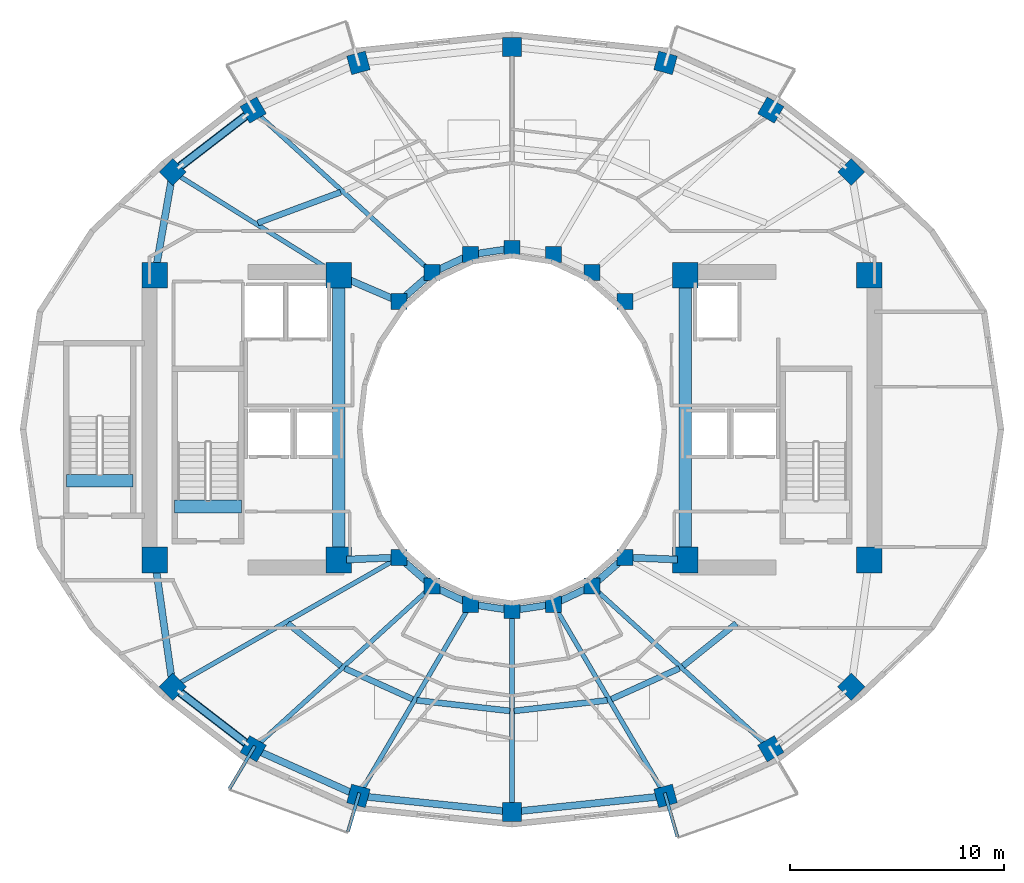
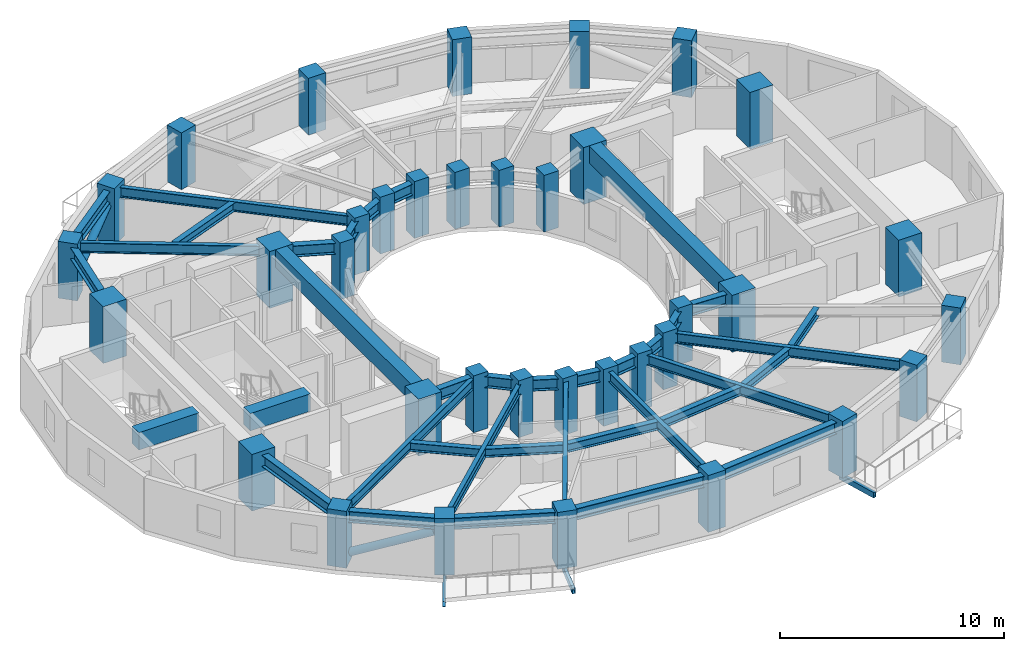
# One storey, part 1 of 10: 41 beams, 36 columns, 2 members.
"""IFC4 building model written with IfcOpenShell, lengths in metres."""

from ifc_helpers import new_model, si_unit, direction, frame, origin, origin_2d, place, context, subcontext, project, spatial, rectangle, hollow_rectangle, hollow_circle, i_section, extrude, material, material_profile, profile_set, type_object, element, save


model = new_model("IFC4")

# Units and contexts
model_context = context("Model", 3, precision=1e-05, world=origin(), true_north=direction((0.0, 1.0)))
body_context = subcontext(model_context, "Body", "Model", "MODEL_VIEW")
ifc_project = project(units=[si_unit("LENGTHUNIT", "METRE"), si_unit("AREAUNIT", "SQUARE_METRE"), si_unit("VOLUMEUNIT", "CUBIC_METRE"), si_unit("PLANEANGLEUNIT", "RADIAN"), si_unit("MASSUNIT", "GRAM", prefix="KILO")], contexts=[model_context])

# Site, building, storey
site_placement = place(None, origin())
site = spatial("IfcSite", under=ifc_project, at=site_placement, CompositionType="ELEMENT")
building_placement = place(site_placement, origin())
building = spatial("IfcBuilding", under=site, at=building_placement, Name="Solvane Sanctuary Tower", CompositionType="ELEMENT")
storey_placement = place(building_placement, frame((0.0, 0.0, 146.699951171875)))
storey = spatial("IfcBuildingStorey", under=building, at=storey_placement, Name="L44", CompositionType="ELEMENT", Elevation=146.699951171875)

# Columns
ifc_material_1 = material(Name="Concrete C50/60", Category="concrete")
ifc_material_profile_1 = material_profile(ifc_material_1, rectangle(XDim=0.75, YDim=0.75, at=origin_2d()), Name="RC750X750")
ifc_profile_set_1 = profile_set([ifc_material_profile_1], Name="Concrete C50/60")
column_type_1 = type_object("IfcColumnType", Name="Column C-RING-Z3 RC750X750", PredefinedType="COLUMN", material=ifc_profile_set_1)
for number, where, z_axis, x_axis, name in (
    (1, (37.27490234375, 28.982177734375, 0.0), (0.0, 0.0, 1.0), (1.0, 0.0, 0.0), "L44 Inner Light-Well Ring Column IC01"),
    (2, (35.72998046875, 30.32666015625, 0.0), (0.0, 0.0, 1.0), (1.0, 0.0, 0.0), "L44 Inner Light-Well Ring Column IC02"),
    (3, (33.930908203125, 31.171630859375, 0.0), (0.0, 0.0, 1.0), (1.0, 0.0, 0.0), "L44 Inner Light-Well Ring Column IC03"),
    (4, (32.0, 31.4599609375, 0.0), (0.0, 0.0, 1.0), (1.0, 0.0, 0.0), "L44 Inner Light-Well Ring Column IC04"),
    (5, (30.069091796875, 31.171630859375, 0.0), (0.0, 0.0, 1.0), (1.0, 0.0, 0.0), "L44 Inner Light-Well Ring Column IC05"),
    (6, (28.27001953125, 30.32666015625, 0.0), (0.0, 0.0, 1.0), (1.0, 0.0, 0.0), "L44 Inner Light-Well Ring Column IC06"),
    (7, (26.72509765625, 28.982177734375, 0.0), (0.0, 0.0, 1.0), (1.0, 0.0, 0.0), "L44 Inner Light-Well Ring Column IC07"),
    (8, (26.72509765625, 17.017822265625, 0.0), (0.0, 0.0, 1.0), (1.0, 0.0, 0.0), "L44 Inner Light-Well Ring Column IC08"),
    (9, (28.27001953125, 15.67333984375, 0.0), (0.0, 0.0, 1.0), (1.0, 0.0, 0.0), "L44 Inner Light-Well Ring Column IC09"),
    (10, (30.069091796875, 14.828369140625, 0.0), (0.0, 0.0, 1.0), (1.0, 0.0, 0.0), "L44 Inner Light-Well Ring Column IC10"),
    (11, (32.0, 14.5400390625, 0.0), (0.0, 0.0, 1.0), (1.0, 0.0, 0.0), "L44 Inner Light-Well Ring Column IC11"),
    (12, (33.930908203125, 14.828369140625, 0.0), (0.0, 0.0, 1.0), (1.0, 0.0, 0.0), "L44 Inner Light-Well Ring Column IC12"),
    (13, (35.72998046875, 15.67333984375, 0.0), (0.0, 0.0, 1.0), (1.0, 0.0, 0.0), "L44 Inner Light-Well Ring Column IC13"),
    (14, (37.27490234375, 17.017822265625, 0.0), (0.0, 0.0, 1.0), (1.0, 0.0, 0.0), "L44 Inner Light-Well Ring Column IC14"),
):
    element("IfcColumn", number, at=place(storey_placement, frame(where, z_axis=z_axis, x_axis=x_axis)), inside=storey, type_object=column_type_1, Name=name, PredefinedType="COLUMN", context=body_context, shape_type="SweptSolid", body=[
        extrude(rectangle(XDim=0.75, YDim=0.75, at=origin_2d()), origin(), (0.0, 0.0, 1.0), 3.10009765625),
    ])
ifc_material_2 = material(Name="Concrete C70/85", Category="concrete")
ifc_material_profile_2 = material_profile(ifc_material_2, rectangle(XDim=1.199951171875, YDim=1.199951171875, at=origin_2d()), Name="RC1200X1200")
ifc_profile_set_2 = profile_set([ifc_material_profile_2], Name="Concrete C70/85")
column_type_2 = type_object("IfcColumnType", Name="Column C-TUBE-Z1 RC1200X1200", PredefinedType="COLUMN", material=ifc_profile_set_2)
for number, where, z_axis, x_axis, name in (
    (15, (15.300048828125, 16.89990234375, 0.0), (0.0, 0.0, 1.0), (1.0, 0.0, 0.0), "L44 Core Corner Column CW1"),
    (16, (23.89990234375, 16.89990234375, 0.0), (0.0, 0.0, 1.0), (1.0, 0.0, 0.0), "L44 Core Corner Column CW2"),
    (17, (23.89990234375, 30.199951171875, 0.0), (0.0, 0.0, 1.0), (1.0, 0.0, 0.0), "L44 Core Corner Column CW3"),
    (18, (15.300048828125, 30.199951171875, 0.0), (0.0, 0.0, 1.0), (1.0, 0.0, 0.0), "L44 Core Corner Column CW4"),
    (19, (40.10009765625, 16.89990234375, 0.0), (0.0, 0.0, 1.0), (1.0, 0.0, 0.0), "L44 Core Corner Column CE1"),
    (20, (48.699951171875, 16.89990234375, 0.0), (0.0, 0.0, 1.0), (1.0, 0.0, 0.0), "L44 Core Corner Column CE2"),
    (21, (48.699951171875, 30.199951171875, 0.0), (0.0, 0.0, 1.0), (1.0, 0.0, 0.0), "L44 Core Corner Column CE3"),
    (22, (40.10009765625, 30.199951171875, 0.0), (0.0, 0.0, 1.0), (1.0, 0.0, 0.0), "L44 Core Corner Column CE4"),
):
    element("IfcColumn", number, at=place(storey_placement, frame(where, z_axis=z_axis, x_axis=x_axis)), inside=storey, type_object=column_type_2, Name=name, PredefinedType="COLUMN", context=body_context, shape_type="SweptSolid", body=[
        extrude(rectangle(XDim=1.199951171875, YDim=1.199951171875, at=origin_2d()), origin(), (0.0, 0.0, 1.0), 3.10009765625),
    ])
ifc_material_3 = material(Name="Concrete C60/75", Category="concrete")
ifc_material_profile_3 = material_profile(ifc_material_3, rectangle(XDim=0.89990234375, YDim=0.89990234375, at=origin_2d()), Name="RC900X900")
ifc_profile_set_3 = profile_set([ifc_material_profile_3], Name="Concrete C60/75")
column_type_3 = type_object("IfcColumnType", Name="Column C-TUBE-Z3 RC900X900", PredefinedType="COLUMN", material=ifc_profile_set_3)
for number, where, z_axis, x_axis, name in (
    (23, (47.856689453125, 35.031005859375, 0.0), (0.0, 0.0, 1.0), (0.707106781187, 0.707106781187, 0.0), "L44 Perimeter Tube Column TC01"),
    (24, (44.09814453125, 37.927978515625, 0.0), (0.0, 0.0, 1.0), (0.5, 0.866025403784, 0.0), "L44 Perimeter Tube Column TC02"),
    (25, (39.17822265625, 40.134521484375, 0.0), (0.0, 0.0, 1.0), (0.258819045103, 0.965925826289, 0.0), "L44 Perimeter Tube Column TC03"),
    (26, (32.0, 40.8798828125, 0.0), (0.0, 0.0, 1.0), (0.0, 1.0, 0.0), "L44 Perimeter Tube Column TC04"),
    (27, (24.82177734375, 40.134521484375, 0.0), (0.0, 0.0, 1.0), (-0.258819045103, 0.965925826289, 0.0), "L44 Perimeter Tube Column TC05"),
    (28, (19.90185546875, 37.927978515625, 0.0), (0.0, 0.0, 1.0), (-0.5, 0.866025403784, 0.0), "L44 Perimeter Tube Column TC06"),
    (29, (16.143310546875, 35.031005859375, 0.0), (0.0, 0.0, 1.0), (-0.707106781187, 0.707106781187, 0.0), "L44 Perimeter Tube Column TC07"),
    (30, (16.143310546875, 10.968994140625, 0.0), (0.0, 0.0, 1.0), (-0.707106781187, -0.707106781187, 0.0), "L44 Perimeter Tube Column TC08"),
    (31, (19.90185546875, 8.072021484375, 0.0), (0.0, 0.0, 1.0), (-0.5, -0.866025403784, 0.0), "L44 Perimeter Tube Column TC09"),
    (32, (24.82177734375, 5.865478515625, 0.0), (0.0, 0.0, 1.0), (-0.258819045103, -0.965925826289, 0.0), "L44 Perimeter Tube Column TC10"),
    (33, (32.0, 5.1201171875, 0.0), (0.0, 0.0, 1.0), (0.0, -1.0, 0.0), "L44 Perimeter Tube Column TC11"),
    (34, (39.17822265625, 5.865478515625, 0.0), (0.0, 0.0, 1.0), (0.258819045103, -0.965925826289, 0.0), "L44 Perimeter Tube Column TC12"),
    (35, (44.09814453125, 8.072021484375, 0.0), (0.0, 0.0, 1.0), (0.5, -0.866025403784, 0.0), "L44 Perimeter Tube Column TC13"),
    (36, (47.856689453125, 10.968994140625, 0.0), (0.0, 0.0, 1.0), (0.707106781187, -0.707106781187, 0.0), "L44 Perimeter Tube Column TC14"),
):
    element("IfcColumn", number, at=place(storey_placement, frame(where, z_axis=z_axis, x_axis=x_axis)), inside=storey, type_object=column_type_3, Name=name, PredefinedType="COLUMN", context=body_context, shape_type="SweptSolid", body=[
        extrude(rectangle(XDim=0.89990234375, YDim=0.89990234375, at=origin_2d()), origin(), (0.0, 0.0, 1.0), 3.10009765625),
    ])

# Beams
ifc_material_4 = material(Name="Steel ASTM A500 Grade C", Category="steel")
ifc_material_profile_4 = material_profile(ifc_material_4, hollow_rectangle(XDim=0.14990234375, YDim=0.300048828125, WallThickness=0.010009765625, at=origin_2d()), Name="HSS300X150X10")
ifc_profile_set_4 = profile_set([ifc_material_profile_4], Name="Steel ASTM A500 Grade C")
beam_type_1 = type_object("IfcBeamType", Name="Beam B-BALC-BRK HSS300X150X10", PredefinedType="BEAM", material=ifc_profile_set_4)
beam_1_placement = place(storey_placement, frame((19.978515625, 8.200927734375, -0.3720703125), z_axis=(-0.511186541361, -0.859469790005, 0.0), x_axis=(0.859469790005, -0.511186541361, 0.0)))
element("IfcBeam", 37, at=beam_1_placement, inside=storey, type_object=beam_type_1, Name="L44 Balcony Bracket S1-1", PredefinedType="BEAM", context=body_context, shape_type="SweptSolid", body=[
    extrude(hollow_rectangle(XDim=0.14990234375, YDim=0.300048828125, WallThickness=0.010009765625, at=origin_2d()), origin(), (0.0, 0.0, 1.0), 2.324462890625),
])
beam_2_placement = place(storey_placement, frame((24.864013671875, 6.00927734375, -0.3720703125), z_axis=(-0.281901610747, -0.959443318731, 0.0), x_axis=(0.959443318731, -0.281901610747, 0.0)))
element("IfcBeam", 38, at=beam_2_placement, inside=storey, type_object=beam_type_1, Name="L44 Balcony Bracket S1-2", PredefinedType="BEAM", context=body_context, shape_type="SweptSolid", body=[
    extrude(hollow_rectangle(XDim=0.14990234375, YDim=0.300048828125, WallThickness=0.010009765625, at=origin_2d()), origin(), (0.0, 0.0, 1.0), 1.8974609375),
])
beam_3_placement = place(storey_placement, frame((39.136474609375, 6.009521484375, -0.3720703125), z_axis=(0.279136242584, -0.960251507719, 0.0), x_axis=(0.960251507719, 0.279136242584, 0.0)))
element("IfcBeam", 39, at=beam_3_placement, inside=storey, type_object=beam_type_1, Name="L44 Balcony Bracket S2-1", PredefinedType="BEAM", context=body_context, shape_type="SweptSolid", body=[
    extrude(hollow_rectangle(XDim=0.14990234375, YDim=0.300048828125, WallThickness=0.010009765625, at=origin_2d()), origin(), (0.0, 0.0, 1.0), 2.138427734375),
])
ifc_material_profile_5 = material_profile(ifc_material_2, rectangle(XDim=0.60009765625, YDim=0.949951171875, at=origin_2d()), Name="RC600X950")
ifc_profile_set_5 = profile_set([ifc_material_profile_5], Name="Concrete C70/85")
beam_type_2 = type_object("IfcBeamType", Name="Beam B-COUPLE RC600X950", PredefinedType="LINTEL", material=ifc_profile_set_5)
for number, where, z_axis, x_axis, name in (
    (40, (23.89990234375, 17.35009765625, 2.625), (0.0, 1.0, 0.0), (-1.0, 0.0, 0.0), "L44 West Core Coupling Lintel"),
    (41, (40.10009765625, 17.35009765625, 2.625), (0.0, 1.0, 0.0), (-1.0, 0.0, 0.0), "L44 East Core Coupling Lintel"),
):
    element("IfcBeam", number, at=place(storey_placement, frame(where, z_axis=z_axis, x_axis=x_axis)), inside=storey, type_object=beam_type_2, Name=name, PredefinedType="LINTEL", context=body_context, shape_type="SweptSolid", body=[
        extrude(rectangle(XDim=0.60009765625, YDim=0.949951171875, at=origin_2d()), origin(), (0.0, 0.0, 1.0), 12.39990234375),
    ])
for number, where, z_axis, x_axis, name in (
    (42, (16.22998046875, 19.399169921875, 2.625), (1.0, 0.0, 0.0), (0.0, 1.0, 0.0), "L44 ST-1 Stair Floor Landing Trimmer"),
    (43, (11.169921875, 20.59912109375, 2.625), (1.0, 0.0, 0.0), (0.0, 1.0, 0.0), "L44 ST-3 Stair Floor Landing Trimmer"),
):
    element("IfcBeam", number, at=place(storey_placement, frame(where, z_axis=z_axis, x_axis=x_axis)), inside=storey, type_object=beam_type_2, Name=name, PredefinedType="LINTEL", context=body_context, shape_type="SweptSolid", body=[
        extrude(rectangle(XDim=0.60009765625, YDim=0.949951171875, at=origin_2d()), origin(), (0.0, 0.0, 1.0), 3.1201171875),
    ])
ifc_material_5 = material(Name="Steel ASTM A992 Grade 50", Category="steel")
ifc_material_profile_6 = material_profile(ifc_material_5, i_section(OverallWidth=0.214111328125, OverallDepth=0.549072265625, WebThickness=0.0146484375, FlangeThickness=0.023681640625, FilletRadius=0.014892578125, at=origin_2d()), Name="W21X93")
ifc_profile_set_6 = profile_set([ifc_material_profile_6], Name="Steel ASTM A992 Grade 50")
beam_type_3 = type_object("IfcBeamType", Name="Beam B-RAD-Z3 W21X93", PredefinedType="JOIST", material=ifc_profile_set_6)
beam_4_placement = place(storey_placement, frame((28.062744140625, 30.514892578125, 2.603515625), z_axis=(-0.74020423772, 0.672382098558, 0.0), x_axis=(-0.672382098558, -0.74020423772, 0.0)))
element("IfcBeam", 44, at=beam_4_placement, inside=storey, type_object=beam_type_3, Name="L44 Radial Composite Floor Beam 06", PredefinedType="JOIST", context=body_context, shape_type="SweptSolid", body=[
    extrude(i_section(OverallWidth=0.214111328125, OverallDepth=0.549072265625, WebThickness=0.0146484375, FlangeThickness=0.023681640625, FilletRadius=0.014892578125, at=origin_2d()), origin(), (0.0, 0.0, 1.0), 10.7451171875),
])
beam_5_placement = place(storey_placement, frame((23.594482421875, 30.390380859375, 2.603515625), z_axis=(-0.84882685523, 0.528670946658, 0.0), x_axis=(-0.528670946658, -0.84882685523, 0.0)))
element("IfcBeam", 45, at=beam_5_placement, inside=storey, type_object=beam_type_3, Name="L44 Radial Composite Floor Beam 07", PredefinedType="JOIST", context=body_context, shape_type="SweptSolid", body=[
    extrude(i_section(OverallWidth=0.214111328125, OverallDepth=0.549072265625, WebThickness=0.0146484375, FlangeThickness=0.023681640625, FilletRadius=0.014892578125, at=origin_2d()), origin(), (0.0, 0.0, 1.0), 8.498046875),
])
beam_6_placement = place(storey_placement, frame((26.48193359375, 16.87890625, 2.603515625), z_axis=(-0.86816302692, -0.496279113694, 0.0), x_axis=(0.496279113694, -0.86816302692, 0.0)))
element("IfcBeam", 46, at=beam_6_placement, inside=storey, type_object=beam_type_3, Name="L44 Radial Composite Floor Beam 08", PredefinedType="JOIST", context=body_context, shape_type="SweptSolid", body=[
    extrude(i_section(OverallWidth=0.214111328125, OverallDepth=0.549072265625, WebThickness=0.0146484375, FlangeThickness=0.023681640625, FilletRadius=0.014892578125, at=origin_2d()), origin(), (0.0, 0.0, 1.0), 11.62841796875),
])
beam_7_placement = place(storey_placement, frame((28.062744140625, 15.485107421875, 2.603515625), z_axis=(-0.74020423772, -0.672382098558, 0.0), x_axis=(0.672382098558, -0.74020423772, 0.0)))
element("IfcBeam", 47, at=beam_7_placement, inside=storey, type_object=beam_type_3, Name="L44 Radial Composite Floor Beam 09", PredefinedType="JOIST", context=body_context, shape_type="SweptSolid", body=[
    extrude(i_section(OverallWidth=0.214111328125, OverallDepth=0.549072265625, WebThickness=0.0146484375, FlangeThickness=0.023681640625, FilletRadius=0.014892578125, at=origin_2d()), origin(), (0.0, 0.0, 1.0), 10.7451171875),
])
beam_8_placement = place(storey_placement, frame((29.927734375, 14.586669921875, 2.603515625), z_axis=(-0.505243742555, -0.862976686017, 0.0), x_axis=(0.862976686017, -0.505243742555, 0.0)))
element("IfcBeam", 48, at=beam_8_placement, inside=storey, type_object=beam_type_3, Name="L44 Radial Composite Floor Beam 10", PredefinedType="JOIST", context=body_context, shape_type="SweptSolid", body=[
    extrude(i_section(OverallWidth=0.214111328125, OverallDepth=0.549072265625, WebThickness=0.0146484375, FlangeThickness=0.023681640625, FilletRadius=0.014892578125, at=origin_2d()), origin(), (0.0, 0.0, 1.0), 9.826171875),
])
beam_9_placement = place(storey_placement, frame((32.0, 14.260009765625, 2.603515625), z_axis=(0.0, -1.0, 0.0), x_axis=(1.0, 0.0, 0.0)))
element("IfcBeam", 49, at=beam_9_placement, inside=storey, type_object=beam_type_3, Name="L44 Radial Composite Floor Beam 11", PredefinedType="JOIST", context=body_context, shape_type="SweptSolid", body=[
    extrude(i_section(OverallWidth=0.214111328125, OverallDepth=0.549072265625, WebThickness=0.0146484375, FlangeThickness=0.023681640625, FilletRadius=0.014892578125, at=origin_2d()), origin(), (0.0, 0.0, 1.0), 8.860107421875),
])
beam_10_placement = place(storey_placement, frame((34.072265625, 14.586669921875, 2.603515625), z_axis=(0.505243742555, -0.862976686017, 0.0), x_axis=(0.862976686017, 0.505243742555, 0.0)))
element("IfcBeam", 50, at=beam_10_placement, inside=storey, type_object=beam_type_3, Name="L44 Radial Composite Floor Beam 12", PredefinedType="JOIST", context=body_context, shape_type="SweptSolid", body=[
    extrude(i_section(OverallWidth=0.214111328125, OverallDepth=0.549072265625, WebThickness=0.0146484375, FlangeThickness=0.023681640625, FilletRadius=0.014892578125, at=origin_2d()), origin(), (0.0, 0.0, 1.0), 9.826171875),
])
beam_11_placement = place(storey_placement, frame((35.937255859375, 15.485107421875, 2.603515625), z_axis=(0.74020423772, -0.672382098558, 0.0), x_axis=(0.672382098558, 0.74020423772, 0.0)))
element("IfcBeam", 51, at=beam_11_placement, inside=storey, type_object=beam_type_3, Name="L44 Radial Composite Floor Beam 13", PredefinedType="JOIST", context=body_context, shape_type="SweptSolid", body=[
    extrude(i_section(OverallWidth=0.214111328125, OverallDepth=0.549072265625, WebThickness=0.0146484375, FlangeThickness=0.023681640625, FilletRadius=0.014892578125, at=origin_2d()), origin(), (0.0, 0.0, 1.0), 10.7451171875),
])
ifc_material_profile_7 = material_profile(ifc_material_5, i_section(OverallWidth=0.324951171875, OverallDepth=0.615966796875, WebThickness=0.013916015625, FlangeThickness=0.021484375, FilletRadius=0.01611328125, at=origin_2d()), Name="W24X117")
ifc_profile_set_7 = profile_set([ifc_material_profile_7], Name="Steel ASTM A992 Grade 50")
beam_type_4 = type_object("IfcBeamType", Name="Beam B-RING-IN2 W24X117", PredefinedType="BEAM", material=ifc_profile_set_7)
beam_12_placement = place(storey_placement, frame((24.230712890625, 30.0576171875, 2.570068359375), z_axis=(0.918264067649, -0.395968561966, 0.0), x_axis=(0.395968561966, 0.918264067649, 0.0)))
element("IfcBeam", 52, at=beam_12_placement, inside=storey, type_object=beam_type_4, Name="L44 Inner Light-Well Ring Beam CW3-IC07", PredefinedType="BEAM", context=body_context, shape_type="SweptSolid", body=[
    extrude(i_section(OverallWidth=0.324951171875, OverallDepth=0.615966796875, WebThickness=0.013916015625, FlangeThickness=0.021484375, FilletRadius=0.01611328125, at=origin_2d()), origin(), (0.0, 0.0, 1.0), 2.371337890625),
])
beam_13_placement = place(storey_placement, frame((26.9853515625, 29.20849609375, 2.570068359375), z_axis=(0.754311313851, 0.656516901379, 0.0), x_axis=(-0.656516901379, 0.754311313851, 0.0)))
element("IfcBeam", 53, at=beam_13_placement, inside=storey, type_object=beam_type_4, Name="L44 Inner Light-Well Ring Beam IC07-IC06", PredefinedType="BEAM", context=body_context, shape_type="SweptSolid", body=[
    extrude(i_section(OverallWidth=0.324951171875, OverallDepth=0.615966796875, WebThickness=0.013916015625, FlangeThickness=0.021484375, FilletRadius=0.01611328125, at=origin_2d()), origin(), (0.0, 0.0, 1.0), 1.358154296875),
])
beam_14_placement = place(storey_placement, frame((28.582275390625, 30.473388671875, 2.570068359375), z_axis=(0.9051808128, 0.425026700502, 0.0), x_axis=(-0.425026700502, 0.9051808128, 0.0)))
element("IfcBeam", 54, at=beam_14_placement, inside=storey, type_object=beam_type_4, Name="L44 Inner Light-Well Ring Beam IC06-IC05", PredefinedType="BEAM", context=body_context, shape_type="SweptSolid", body=[
    extrude(i_section(OverallWidth=0.324951171875, OverallDepth=0.615966796875, WebThickness=0.013916015625, FlangeThickness=0.021484375, FilletRadius=0.01611328125, at=origin_2d()), origin(), (0.0, 0.0, 1.0), 1.297607421875),
])
beam_15_placement = place(storey_placement, frame((30.410400390625, 31.22265625, 2.570068359375), z_axis=(0.989019905763, 0.147782360259, 0.0), x_axis=(-0.147782360259, 0.989019905763, 0.0)))
element("IfcBeam", 55, at=beam_15_placement, inside=storey, type_object=beam_type_4, Name="L44 Inner Light-Well Ring Beam IC05-IC04", PredefinedType="BEAM", context=body_context, shape_type="SweptSolid", body=[
    extrude(i_section(OverallWidth=0.324951171875, OverallDepth=0.615966796875, WebThickness=0.013916015625, FlangeThickness=0.021484375, FilletRadius=0.01611328125, at=origin_2d()), origin(), (0.0, 0.0, 1.0), 1.26220703125),
])
beam_16_placement = place(storey_placement, frame((24.259765625, 16.9150390625, 2.570068359375), z_axis=(0.999132674336, 0.041640113759, 0.0), x_axis=(-0.041640113759, 0.999132674336, 0.0)))
element("IfcBeam", 56, at=beam_16_placement, inside=storey, type_object=beam_type_4, Name="L44 Inner Light-Well Ring Beam CW2-IC08", PredefinedType="BEAM", context=body_context, shape_type="SweptSolid", body=[
    extrude(i_section(OverallWidth=0.324951171875, OverallDepth=0.615966796875, WebThickness=0.013916015625, FlangeThickness=0.021484375, FilletRadius=0.01611328125, at=origin_2d()), origin(), (0.0, 0.0, 1.0), 2.12255859375),
])
beam_17_placement = place(storey_placement, frame((26.9853515625, 16.79150390625, 2.570068359375), z_axis=(0.754311313851, -0.656516901379, 0.0), x_axis=(0.656516901379, 0.754311313851, 0.0)))
element("IfcBeam", 57, at=beam_17_placement, inside=storey, type_object=beam_type_4, Name="L44 Inner Light-Well Ring Beam IC08-IC09", PredefinedType="BEAM", context=body_context, shape_type="SweptSolid", body=[
    extrude(i_section(OverallWidth=0.324951171875, OverallDepth=0.615966796875, WebThickness=0.013916015625, FlangeThickness=0.021484375, FilletRadius=0.01611328125, at=origin_2d()), origin(), (0.0, 0.0, 1.0), 1.358154296875),
])
beam_18_placement = place(storey_placement, frame((28.582275390625, 15.526611328125, 2.570068359375), z_axis=(0.9051808128, -0.425026700502, 0.0), x_axis=(0.425026700502, 0.9051808128, 0.0)))
element("IfcBeam", 58, at=beam_18_placement, inside=storey, type_object=beam_type_4, Name="L44 Inner Light-Well Ring Beam IC09-IC10", PredefinedType="BEAM", context=body_context, shape_type="SweptSolid", body=[
    extrude(i_section(OverallWidth=0.324951171875, OverallDepth=0.615966796875, WebThickness=0.013916015625, FlangeThickness=0.021484375, FilletRadius=0.01611328125, at=origin_2d()), origin(), (0.0, 0.0, 1.0), 1.297607421875),
])
for number, where, z_axis, x_axis, name in (
    (59, (30.410400390625, 14.77734375, 2.570068359375), (0.989019905763, -0.147782360259, 0.0), (0.147782360259, 0.989019905763, 0.0), "L44 Inner Light-Well Ring Beam IC10-IC11"),
    (60, (32.34130859375, 14.5908203125, 2.570068359375), (0.989019905763, 0.147782360259, 0.0), (-0.147782360259, 0.989019905763, 0.0), "L44 Inner Light-Well Ring Beam IC11-IC12"),
):
    element("IfcBeam", number, at=place(storey_placement, frame(where, z_axis=z_axis, x_axis=x_axis)), inside=storey, type_object=beam_type_4, Name=name, PredefinedType="BEAM", context=body_context, shape_type="SweptSolid", body=[
        extrude(i_section(OverallWidth=0.324951171875, OverallDepth=0.615966796875, WebThickness=0.013916015625, FlangeThickness=0.021484375, FilletRadius=0.01611328125, at=origin_2d()), origin(), (0.0, 0.0, 1.0), 1.26220703125),
    ])
beam_19_placement = place(storey_placement, frame((34.2431640625, 14.97509765625, 2.570068359375), z_axis=(0.9051808128, 0.425026700502, 0.0), x_axis=(-0.425026700502, 0.9051808128, 0.0)))
element("IfcBeam", 61, at=beam_19_placement, inside=storey, type_object=beam_type_4, Name="L44 Inner Light-Well Ring Beam IC12-IC13", PredefinedType="BEAM", context=body_context, shape_type="SweptSolid", body=[
    extrude(i_section(OverallWidth=0.324951171875, OverallDepth=0.615966796875, WebThickness=0.013916015625, FlangeThickness=0.021484375, FilletRadius=0.01611328125, at=origin_2d()), origin(), (0.0, 0.0, 1.0), 1.297607421875),
])
beam_20_placement = place(storey_placement, frame((35.990234375, 15.89990234375, 2.570068359375), z_axis=(0.754311313851, 0.656516901379, 0.0), x_axis=(-0.656516901379, 0.754311313851, 0.0)))
element("IfcBeam", 62, at=beam_20_placement, inside=storey, type_object=beam_type_4, Name="L44 Inner Light-Well Ring Beam IC13-IC14", PredefinedType="BEAM", context=body_context, shape_type="SweptSolid", body=[
    extrude(i_section(OverallWidth=0.324951171875, OverallDepth=0.615966796875, WebThickness=0.013916015625, FlangeThickness=0.021484375, FilletRadius=0.01611328125, at=origin_2d()), origin(), (0.0, 0.0, 1.0), 1.358154296875),
])
beam_21_placement = place(storey_placement, frame((37.61962890625, 17.00341796875, 2.570068359375), z_axis=(0.999132674336, -0.041640113759, 0.0), x_axis=(0.041640113759, 0.999132674336, 0.0)))
element("IfcBeam", 63, at=beam_21_placement, inside=storey, type_object=beam_type_4, Name="L44 Inner Light-Well Ring Beam IC14-CE1", PredefinedType="BEAM", context=body_context, shape_type="SweptSolid", body=[
    extrude(i_section(OverallWidth=0.324951171875, OverallDepth=0.615966796875, WebThickness=0.013916015625, FlangeThickness=0.021484375, FilletRadius=0.01611328125, at=origin_2d()), origin(), (0.0, 0.0, 1.0), 2.12255859375),
])
ifc_material_profile_8 = material_profile(ifc_material_5, i_section(OverallWidth=0.280029296875, OverallDepth=0.462890625, WebThickness=0.0107421875, FlangeThickness=0.017333984375, FilletRadius=0.013916015625, at=origin_2d()), Name="W18X76")
ifc_profile_set_8 = profile_set([ifc_material_profile_8], Name="Steel ASTM A992 Grade 50")
beam_type_5 = type_object("IfcBeamType", Name="Beam B-SEC-JOIST W18X76", PredefinedType="JOIST", material=ifc_profile_set_8)
beam_22_placement = place(storey_placement, frame((20.1171875, 32.651123046875, 2.646484375), z_axis=(0.937265401165, 0.348616648741, 0.0), x_axis=(-0.348616648741, 0.937265401165, 0.0)))
element("IfcBeam", 64, at=beam_22_placement, inside=storey, type_object=beam_type_5, Name="L44 Secondary Circumferential Joist 07-06", PredefinedType="JOIST", context=body_context, shape_type="SweptSolid", body=[
    extrude(i_section(OverallWidth=0.280029296875, OverallDepth=0.462890625, WebThickness=0.0107421875, FlangeThickness=0.017333984375, FilletRadius=0.013916015625, at=origin_2d()), origin(), (0.0, 0.0, 1.0), 4.132568359375),
])
beam_23_placement = place(storey_placement, frame((21.513916015625, 13.9296875, 2.646484375), z_axis=(0.780950896308, -0.62459242515, 0.0), x_axis=(0.62459242515, 0.780950896308, 0.0)))
element("IfcBeam", 65, at=beam_23_placement, inside=storey, type_object=beam_type_5, Name="L44 Secondary Circumferential Joist 08-09", PredefinedType="JOIST", context=body_context, shape_type="SweptSolid", body=[
    extrude(i_section(OverallWidth=0.280029296875, OverallDepth=0.462890625, WebThickness=0.0107421875, FlangeThickness=0.017333984375, FilletRadius=0.013916015625, at=origin_2d()), origin(), (0.0, 0.0, 1.0), 3.191650390625),
])
beam_24_placement = place(storey_placement, frame((24.178955078125, 11.83056640625, 2.646484375), z_axis=(0.910462399508, -0.413591850842, 0.0), x_axis=(0.413591850842, 0.910462399508, 0.0)))
element("IfcBeam", 66, at=beam_24_placement, inside=storey, type_object=beam_type_5, Name="L44 Secondary Circumferential Joist 09-10", PredefinedType="JOIST", context=body_context, shape_type="SweptSolid", body=[
    extrude(i_section(OverallWidth=0.280029296875, OverallDepth=0.462890625, WebThickness=0.0107421875, FlangeThickness=0.017333984375, FilletRadius=0.013916015625, at=origin_2d()), origin(), (0.0, 0.0, 1.0), 3.485595703125),
])
for number, where, z_axis, x_axis, name in (
    (67, (27.546875, 10.335205078125, 2.646484375), (0.993627549834, -0.112713318696, 0.0), (0.112713318696, 0.993627549834, 0.0), "L44 Secondary Circumferential Joist 10-11"),
    (68, (32.101318359375, 9.841552734375, 2.646484375), (0.993627549834, 0.112713318696, 0.0), (-0.112713318696, 0.993627549834, 0.0), "L44 Secondary Circumferential Joist 11-12"),
):
    element("IfcBeam", number, at=place(storey_placement, frame(where, z_axis=z_axis, x_axis=x_axis)), inside=storey, type_object=beam_type_5, Name=name, PredefinedType="JOIST", context=body_context, shape_type="SweptSolid", body=[
        extrude(i_section(OverallWidth=0.280029296875, OverallDepth=0.462890625, WebThickness=0.0107421875, FlangeThickness=0.017333984375, FilletRadius=0.013916015625, at=origin_2d()), origin(), (0.0, 0.0, 1.0), 4.379638671875),
    ])
beam_25_placement = place(storey_placement, frame((36.6474609375, 10.388916015625, 2.646484375), z_axis=(0.910474379443, 0.413565477739, 0.0), x_axis=(-0.413565477739, 0.910474379443, 0.0)))
element("IfcBeam", 69, at=beam_25_placement, inside=storey, type_object=beam_type_5, Name="L44 Secondary Circumferential Joist 12-13", PredefinedType="JOIST", context=body_context, shape_type="SweptSolid", body=[
    extrude(i_section(OverallWidth=0.280029296875, OverallDepth=0.462890625, WebThickness=0.0107421875, FlangeThickness=0.017333984375, FilletRadius=0.013916015625, at=origin_2d()), origin(), (0.0, 0.0, 1.0), 3.48583984375),
])
beam_26_placement = place(storey_placement, frame((39.993896484375, 11.936279296875, 2.646484375), z_axis=(0.78092105122, 0.624629739735, 0.0), x_axis=(-0.624629739735, 0.78092105122, 0.0)))
element("IfcBeam", 70, at=beam_26_placement, inside=storey, type_object=beam_type_5, Name="L44 Secondary Circumferential Joist 13-14", PredefinedType="JOIST", context=body_context, shape_type="SweptSolid", body=[
    extrude(i_section(OverallWidth=0.280029296875, OverallDepth=0.462890625, WebThickness=0.0107421875, FlangeThickness=0.017333984375, FilletRadius=0.013916015625, at=origin_2d()), origin(), (0.0, 0.0, 1.0), 3.19140625),
])
ifc_material_profile_9 = material_profile(ifc_material_5, i_section(OverallWidth=0.327880859375, OverallDepth=0.6279296875, WebThickness=0.0166015625, FlangeThickness=0.027587890625, FilletRadius=0.01611328125, at=origin_2d()), Name="W24X146")
ifc_profile_set_9 = profile_set([ifc_material_profile_9], Name="Steel ASTM A992 Grade 50")
beam_type_6 = type_object("IfcBeamType", Name="Beam B-SPAND-Z3 W24X146", PredefinedType="SPANDREL", material=ifc_profile_set_9)
beam_27_placement = place(storey_placement, frame((15.34814453125, 30.475830078125, 2.56396484375), z_axis=(0.171967263087, 0.985102664917, 0.0), x_axis=(-0.985102664917, 0.171967263087, 0.0)))
element("IfcBeam", 71, at=beam_27_placement, inside=storey, type_object=beam_type_6, Name="L44 Perimeter Spandrel Beam CW4-TC07", PredefinedType="SPANDREL", context=body_context, shape_type="SweptSolid", body=[
    extrude(i_section(OverallWidth=0.327880859375, OverallDepth=0.6279296875, WebThickness=0.0166015625, FlangeThickness=0.027587890625, FilletRadius=0.01611328125, at=origin_2d()), origin(), (0.0, 0.0, 1.0), 4.34423828125),
])
beam_28_placement = place(storey_placement, frame((16.365234375, 35.201904296875, 2.56396484375), z_axis=(0.792020773873, 0.610494139001, 0.0), x_axis=(-0.610494139001, 0.792020773873, 0.0)))
element("IfcBeam", 72, at=beam_28_placement, inside=storey, type_object=beam_type_6, Name="L44 Perimeter Spandrel Beam TC07-TC06", PredefinedType="SPANDREL", context=body_context, shape_type="SweptSolid", body=[
    extrude(i_section(OverallWidth=0.327880859375, OverallDepth=0.6279296875, WebThickness=0.0166015625, FlangeThickness=0.027587890625, FilletRadius=0.01611328125, at=origin_2d()), origin(), (0.0, 0.0, 1.0), 4.185302734375),
])
beam_29_placement = place(storey_placement, frame((15.33935546875, 16.622802734375, 2.56396484375), z_axis=(0.140798255486, -0.990038307972, 0.0), x_axis=(0.990038307972, 0.140798255486, 0.0)))
element("IfcBeam", 73, at=beam_29_placement, inside=storey, type_object=beam_type_6, Name="L44 Perimeter Spandrel Beam CW1-TC08", PredefinedType="SPANDREL", context=body_context, shape_type="SweptSolid", body=[
    extrude(i_section(OverallWidth=0.327880859375, OverallDepth=0.6279296875, WebThickness=0.0166015625, FlangeThickness=0.027587890625, FilletRadius=0.01611328125, at=origin_2d()), origin(), (0.0, 0.0, 1.0), 5.430908203125),
])
beam_30_placement = place(storey_placement, frame((16.365234375, 10.798095703125, 2.56396484375), z_axis=(0.792020773873, -0.610494139001, 0.0), x_axis=(0.610494139001, 0.792020773873, 0.0)))
element("IfcBeam", 74, at=beam_30_placement, inside=storey, type_object=beam_type_6, Name="L44 Perimeter Spandrel Beam TC08-TC09", PredefinedType="SPANDREL", context=body_context, shape_type="SweptSolid", body=[
    extrude(i_section(OverallWidth=0.327880859375, OverallDepth=0.6279296875, WebThickness=0.0166015625, FlangeThickness=0.027587890625, FilletRadius=0.01611328125, at=origin_2d()), origin(), (0.0, 0.0, 1.0), 4.185302734375),
])
beam_31_placement = place(storey_placement, frame((20.157470703125, 7.95751953125, 2.56396484375), z_axis=(0.912414349424, -0.409267705744, 0.0), x_axis=(0.409267705744, 0.912414349424, 0.0)))
element("IfcBeam", 75, at=beam_31_placement, inside=storey, type_object=beam_type_6, Name="L44 Perimeter Spandrel Beam TC09-TC10", PredefinedType="SPANDREL", context=body_context, shape_type="SweptSolid", body=[
    extrude(i_section(OverallWidth=0.327880859375, OverallDepth=0.6279296875, WebThickness=0.0166015625, FlangeThickness=0.027587890625, FilletRadius=0.01611328125, at=origin_2d()), origin(), (0.0, 0.0, 1.0), 4.831787109375),
])
for number, where, z_axis, x_axis, name in (
    (76, (25.10009765625, 5.83642578125, 2.56396484375), (0.994652761118, -0.103275770632, 0.0), (0.103275770632, 0.994652761118, 0.0), "L44 Perimeter Spandrel Beam TC10-TC11"),
    (77, (32.278564453125, 5.14892578125, 2.56396484375), (0.994652761118, 0.103275770632, 0.0), (-0.103275770632, 0.994652761118, 0.0), "L44 Perimeter Spandrel Beam TC11-TC12"),
):
    element("IfcBeam", number, at=place(storey_placement, frame(where, z_axis=z_axis, x_axis=x_axis)), inside=storey, type_object=beam_type_6, Name=name, PredefinedType="SPANDREL", context=body_context, shape_type="SweptSolid", body=[
        extrude(i_section(OverallWidth=0.327880859375, OverallDepth=0.6279296875, WebThickness=0.0166015625, FlangeThickness=0.027587890625, FilletRadius=0.01611328125, at=origin_2d()), origin(), (0.0, 0.0, 1.0), 6.656982421875),
    ])

# Members
ifc_material_profile_10 = material_profile(ifc_material_5, hollow_circle(Radius=0.202880859375, WallThickness=0.012451171875, at=origin_2d()), Name="CHS406X12.5")
ifc_profile_set_10 = profile_set([ifc_material_profile_10], Name="Steel ASTM A992 Grade 50")
member_type = type_object("IfcMemberType", Name="Member M-TUBE-Z3 CHS406X12.5", PredefinedType="BRACE", material=ifc_profile_set_10)
for number, where, z_axis, x_axis, name in (
    (78, (16.51025390625, 35.313720703125, 0.5625), (0.73686018058, 0.568005062922, 0.366616042707), (-0.610513708364, 0.792005689311, 0.0), "L44 Perimeter Braced-Tube Diagonal NW"),
    (79, (16.51025390625, 10.686279296875, 0.5625), (0.73686018058, -0.568005062922, 0.366616042707), (0.610513708364, 0.792005689311, 0.0), "L44 Perimeter Braced-Tube Diagonal SW"),
):
    element("IfcMember", number, at=place(storey_placement, frame(where, z_axis=z_axis, x_axis=x_axis)), inside=storey, type_object=member_type, Name=name, PredefinedType="BRACE", context=body_context, shape_type="SweptSolid", body=[
        extrude(hollow_circle(Radius=0.202880859375, WallThickness=0.012451171875, at=origin_2d()), origin(), (0.0, 0.0, 1.0), 4.104736328125),
    ])

save(model, "model.ifc")
